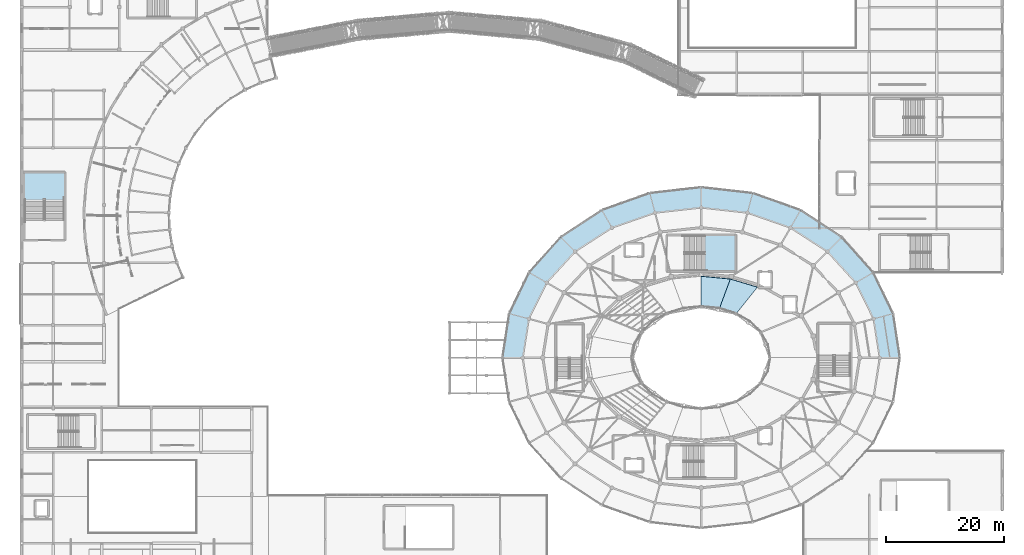
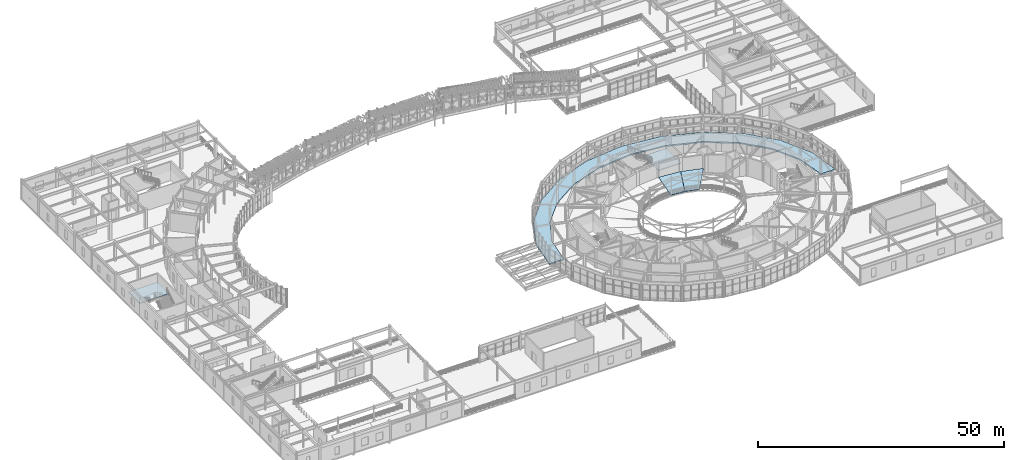
# One storey, part 85 of 144: 5 slabs, 2 elements without a shape of their own.
"""IFC4 building model written with IfcOpenShell, lengths in metres."""

from ifc_helpers import new_model, si_unit, direction, frame, origin, place, context, subcontext, project, spatial, polyline, outline, extrude, material, layer, layer_set, type_object, element, aggregate, save


model = new_model("IFC4")

# Units and contexts
model_context = context("Model", 3, precision=1e-05, world=origin(), true_north=direction((0.0, 1.0)))
body_context = subcontext(model_context, "Body", "Model", "MODEL_VIEW")
ifc_project = project(units=[si_unit("LENGTHUNIT", "METRE"), si_unit("AREAUNIT", "SQUARE_METRE"), si_unit("VOLUMEUNIT", "CUBIC_METRE"), si_unit("PLANEANGLEUNIT", "RADIAN"), si_unit("MASSUNIT", "GRAM", prefix="KILO")], contexts=[model_context])

# Site, building, storey
site_placement = place(None, origin())
site = spatial("IfcSite", under=ifc_project, at=site_placement, CompositionType="ELEMENT")
building_placement = place(site_placement, origin())
building = spatial("IfcBuilding", under=site, at=building_placement, Name="Cinderbank Siding Concert Hall", CompositionType="ELEMENT")
storey_placement = place(building_placement, frame((0.0, 0.0, 5.39990234375)))
storey = spatial("IfcBuildingStorey", under=building, at=storey_placement, Name="L02", CompositionType="ELEMENT", Elevation=5.39990234375)

# Stair, slab
ifc_material_1 = material(Name="Reinforced concrete AS 3600 N50 (50 MPa)", Category="concrete")
stair_type_1 = type_object("IfcStairType", Name="STR-J Dogleg Exit Stair 2850mm", PredefinedType="HALF_TURN_STAIR", material=ifc_material_1)
stair_1_placement = place(storey_placement, origin())
stair_1 = element("IfcStair", 1, at=stair_1_placement, inside=storey, type_object=stair_type_1, Name="L02 Fire-isolated Exit Stair ST-01", PredefinedType="HALF_TURN_STAIR")
ifc_layer_1 = layer(ifc_material_1, 0.199951171875)
ifc_layer_set_1 = layer_set([ifc_layer_1], Name="Reinforced concrete AS 3600 N50 (50 MPa)")
slab_type_1 = type_object("IfcSlabType", Name="LD-02 Slab 200mm", PredefinedType="LANDING", material=ifc_layer_set_1)
slab_1_placement = place(storey_placement, frame((0.0, 0.0, 2.2001953125)))
slab_1 = element("IfcSlab", 2, at=slab_1_placement, type_object=slab_type_1, Name="ST-01 landing 1", PredefinedType="LANDING", context=body_context, shape_type="SweptSolid", body=[
    extrude(outline(polyline([(122.550048828125, 58.669921875), (122.550048828125, 64.68994140625), (127.780029296875, 64.68994140625), (127.780029296875, 58.669921875), (122.550048828125, 58.669921875)])), origin(), (0.0, 0.0, 1.0), 0.199951171875),
])
aggregate(stair_1, [slab_1])

stair_type_2 = type_object("IfcStairType", Name="STR-L Dogleg Exit Stair 3250mm", PredefinedType="HALF_TURN_STAIR", material=ifc_material_1)
stair_2_placement = place(storey_placement, origin())
stair_2 = element("IfcStair", 3, at=stair_2_placement, inside=storey, type_object=stair_type_2, Name="L02 West Gallery Exit Stair ST-09", PredefinedType="HALF_TURN_STAIR")
slab_2_placement = place(storey_placement, frame((0.0, 0.0, 2.2001953125)))
slab_2 = element("IfcSlab", 4, at=slab_2_placement, type_object=slab_type_1, Name="ST-09 landing 1", PredefinedType="LANDING", context=body_context, shape_type="SweptSolid", body=[
    extrude(outline(polyline([(14.340087890625, 70.64990234375), (7.52001953125, 70.64990234375), (7.52001953125, 75.280029296875), (14.340087890625, 75.280029296875), (14.340087890625, 70.64990234375)])), origin(), (0.0, 0.0, 1.0), 0.199951171875),
])
aggregate(stair_2, [slab_2])

# Slabs
ifc_layer_2 = layer(ifc_material_1, 0.300048828125)
ifc_layer_set_2 = layer_set([ifc_layer_2], Name="Reinforced concrete AS 3600 N50 (50 MPa)")
slab_type_2 = type_object("IfcSlabType", Name="SL-05 Slab 300mm", PredefinedType="FLOOR", material=ifc_layer_set_2)
slab_3_placement = place(storey_placement, frame((0.0, 0.0, -0.2998046875)))
element("IfcSlab", 5, at=slab_3_placement, inside=storey, type_object=slab_type_2, Name="L02 Dress Circle Outer Foyer North", PredefinedType="FLOOR", context=body_context, shape_type="SweptSolid", body=[
    extrude(outline(polyline([(89.544921875, 51.4541015625), (92.901611328125, 58.39990234375), (98.2412109375, 64.36474609375), (105.199951171875, 68.94140625), (113.3037109375, 71.818603515625), (122.0, 72.800048828125), (130.6962890625, 71.818603515625), (138.800048828125, 68.94140625), (145.7587890625, 64.36474609375), (151.098388671875, 58.39990234375), (154.455078125, 51.4541015625), (155.59912109375, 44.006103515625), (152.19921875, 44.006103515625), (151.1708984375, 50.573974609375), (148.154052734375, 56.699951171875), (143.3544921875, 61.96044921875), (137.10009765625, 65.9970703125), (129.81640625, 68.534423828125), (122.0, 69.39990234375), (114.18359375, 68.534423828125), (106.89990234375, 65.9970703125), (100.6455078125, 61.96044921875), (95.845947265625, 56.699951171875), (92.8291015625, 50.573974609375), (91.80078125, 44.006103515625), (88.40087890625, 44.006103515625), (89.544921875, 51.4541015625)])), origin(), (0.0, 0.0, 1.0), 0.2998046875),
])
ifc_material_2 = material(Name="Precast concrete AS 3600 N50 (50 MPa)", Category="concrete")
ifc_layer_3 = layer(ifc_material_2, 0.219970703125)
ifc_layer_set_3 = layer_set([ifc_layer_3], Name="Precast concrete AS 3600 N50 (50 MPa)")
slab_type_3 = type_object("IfcSlabType", Name="ST-TIER2 Slab 220mm", PredefinedType="USERDEFINED", material=ifc_layer_set_3)
slab_4_placement = place(storey_placement, frame((128.0, 51.529052734375, 0.050048828125), z_axis=(-0.072070662465, -0.2401440581, 0.968058185736), x_axis=(-0.957793127099, 0.287458389467, 2.726083e-06)))
element("IfcSlab", 6, at=slab_4_placement, inside=storey, type_object=slab_type_3, Name="Stand Main Concert Hall Dress Circle Tier Bay 05", ObjectType="SEATING TIER", PredefinedType="USERDEFINED", context=body_context, shape_type="SweptSolid", body=[
    extrude(outline(polyline([(0.0, 0.0), (3.021829704951, 0.0), (2.694701986123984, -5.384731628433838), (-2.0897291914910547, -5.384816504129122), (0.0, 0.0)])), origin(), (0.0, 0.0, -1.0), 0.219970703125),
])
slab_5_placement = place(storey_placement, frame((125.105712890625, 52.397705078125, 0.050048828125), z_axis=(-0.024525725512, -0.257175787333, 0.96605336457), x_axis=(-0.995484491023, 0.094924328411, -2.836781e-06)))
element("IfcSlab", 7, at=slab_5_placement, inside=storey, type_object=slab_type_3, Name="Stand Main Concert Hall Dress Circle Tier Bay 06", ObjectType="SEATING TIER", PredefinedType="USERDEFINED", context=body_context, shape_type="SweptSolid", body=[
    extrude(outline(polyline([(0.0, 0.0), (3.1198001515303653, -5.551115123125783e-17), (3.60120820491711, -5.226036643371488), (-1.338586290460419, -5.225948143414802), (0.0, 0.0)])), origin(), (0.0, 0.0, -1.0), 0.219970703125),
])

save(model, "model.ifc")
